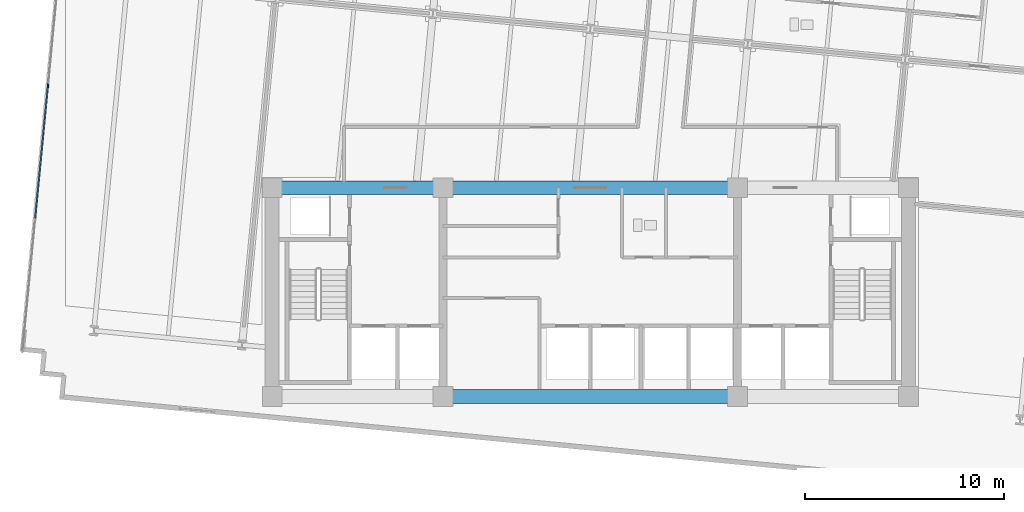
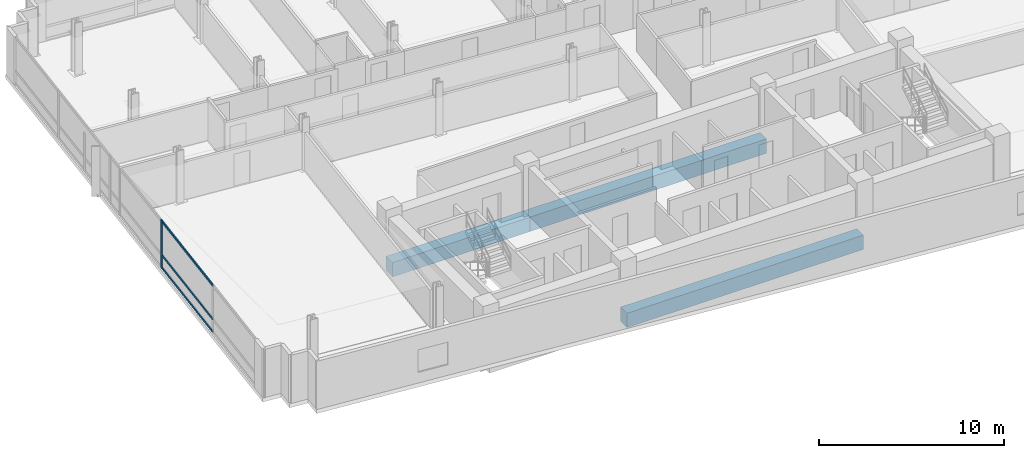
# One storey, part 3 of 17: 4 members, 3 beams, 1 element without a shape of its own.
"""IFC4 building model written with IfcOpenShell, lengths in metres."""

import ifcopenshell
import ifcopenshell.guid

model = None  # the IFC model being written
_history = None  # IfcOwnerHistory: only IFC2X3 demands one
_inside = {}  # id of a spatial element -> (the spatial element, [elements in it])
_under = {}  # id of a project, library or spatial element -> (it, [spatial elements below it])
_declared = {}  # id of a project -> (the project, [libraries it declares])
_typed = {}  # id of a type object -> (the type object, [elements of that type])
_made_of = {}  # id of a material, layer set ... -> (it, [elements and type objects made of it])


def new_model(schema):
    """Start an empty IFC model of exactly this schema.

    Asked for "IFC4X3", IfcOpenShell would pick the latest addendum, in which some entities
    have other attributes; the version numbers below select the first issue.
    IFC2X3 requires an IfcOwnerHistory on every rooted entity: one is made here for all.
    """
    global model, _history
    if schema == "IFC4X3":
        model = ifcopenshell.file(schema_version=(4, 3, 0, 0))
    else:
        model = ifcopenshell.file(schema=schema)
    _inside.clear()
    _under.clear()
    _declared.clear()
    _typed.clear()
    _made_of.clear()
    _history = None
    if model.schema == "IFC2X3":
        org = make("IfcOrganization", Name="unknown")
        user = make(
            "IfcPersonAndOrganization",
            ThePerson=make("IfcPerson", FamilyName="unknown"),
            TheOrganization=org,
        )
        app = make(
            "IfcApplication",
            ApplicationDeveloper=org,
            Version="unknown",
            ApplicationFullName="unknown",
            ApplicationIdentifier="unknown",
        )
        _history = make(
            "IfcOwnerHistory",
            OwningUser=user,
            OwningApplication=app,
            ChangeAction="ADDED",
            CreationDate=0,
        )
    return model


def make(cls, **values):
    """One entity of the class cls with the attributes given. An attribute that is None is left unset."""
    return model.create_entity(
        cls, **{name: value for name, value in values.items() if value is not None}
    )


def rooted(cls, **values):
    """An entity with a GlobalId (a new one), such as an element, a storey or a relation."""
    return make(cls, GlobalId=ifcopenshell.guid.new(), OwnerHistory=_history, **values)


def si_unit(unit_type, name, prefix=None):
    """IfcSIUnit, for example si_unit("LENGTHUNIT", "METRE", prefix="MILLI")."""
    return make("IfcSIUnit", UnitType=unit_type, Prefix=prefix, Name=name)


def assignment(units):
    """IfcUnitAssignment: the units of a project."""
    return None if units is None else make("IfcUnitAssignment", Units=units)


def point(xyz):
    """IfcCartesianPoint."""
    return None if xyz is None else make("IfcCartesianPoint", Coordinates=xyz)


def direction(xyz):
    """IfcDirection."""
    return None if xyz is None else make("IfcDirection", DirectionRatios=xyz)


def frame(location, z_axis=None, x_axis=None):
    """IfcAxis2Placement3D, a coordinate frame: its origin and axes. An axis left out is left unset."""
    return make(
        "IfcAxis2Placement3D",
        Location=point(location),
        Axis=direction(z_axis),
        RefDirection=direction(x_axis),
    )


def frame_2d(location, x_axis=None):
    """IfcAxis2Placement2D, a coordinate frame in the plane: its origin and x axis."""
    return make(
        "IfcAxis2Placement2D", Location=point(location), RefDirection=direction(x_axis)
    )


def origin():
    """The frame at (0, 0, 0) with its axes left unset."""
    return frame((0.0, 0.0, 0.0))


def origin_2d():
    """The frame at (0, 0) in the plane with its x axis left unset."""
    return frame_2d((0.0, 0.0))


def place(relative_to, where):
    """IfcLocalPlacement: puts the frame where relative to a parent placement (None: the world)."""
    return make(
        "IfcLocalPlacement", PlacementRelTo=relative_to, RelativePlacement=where
    )


def context(
    kind, dimensions, precision=None, world=None, true_north=None, identifier=None
):
    """IfcGeometricRepresentationContext, for example the 3D "Model" context."""
    return make(
        "IfcGeometricRepresentationContext",
        ContextIdentifier=identifier,
        ContextType=kind,
        CoordinateSpaceDimension=dimensions,
        Precision=precision,
        WorldCoordinateSystem=world,
        TrueNorth=true_north,
    )


def subcontext(parent, identifier, kind, view, scale=None):
    """IfcGeometricRepresentationSubContext, for example "Body" below "Model"."""
    return make(
        "IfcGeometricRepresentationSubContext",
        ContextIdentifier=identifier,
        ContextType=kind,
        ParentContext=parent,
        TargetScale=scale,
        TargetView=view,
    )


def project(units=None, contexts=None):
    """IfcProject with its units and contexts."""
    return rooted(
        "IfcProject",
        Name="project",
        RepresentationContexts=contexts,
        UnitsInContext=assignment(units),
    )


def spatial(cls, under=None, at=None, **own):
    """A site, building, storey or space (cls), placed at a placement, below another one or the project."""
    s = rooted(cls, ObjectPlacement=at, **own)
    if under is not None:
        _under.setdefault(under.id(), (under, []))[1].append(s)
    return s


def profile(cls, at=None, kind="AREA", **sizes):
    """A parametric profile (cls). Its sizes go by their IFC names, for example OverallWidth=200.0."""
    return make(cls, ProfileType=kind, Position=at, **sizes)


def rectangle(**sizes):
    """IfcRectangleProfileDef."""
    return profile("IfcRectangleProfileDef", **sizes)


def extrude(swept, where, along, depth):
    """IfcExtrudedAreaSolid: the profile swept, set in the frame where, extruded along a direction by depth."""
    return make(
        "IfcExtrudedAreaSolid",
        SweptArea=swept,
        Position=where,
        ExtrudedDirection=direction(along),
        Depth=depth,
    )


def shape(context_of_items, identifier, shape_type, items):
    """IfcShapeRepresentation: the items that make up one representation, for example the "Body"."""
    return make(
        "IfcShapeRepresentation",
        ContextOfItems=context_of_items,
        RepresentationIdentifier=identifier,
        RepresentationType=shape_type,
        Items=items,
    )


def material(Name=None, Category=None):
    """IfcMaterial."""
    return make("IfcMaterial", Name=Name, Category=Category)


def material_profile(
    of_material, cross_section, Name=None, Category=None, Priority=None
):
    """IfcMaterialProfile: a cross section and its material."""
    return make(
        "IfcMaterialProfile",
        Name=Name,
        Material=of_material,
        Profile=cross_section,
        Priority=Priority,
        Category=Category,
    )


def profile_set(profiles, Name=None, composite=None):
    """IfcMaterialProfileSet."""
    return make(
        "IfcMaterialProfileSet",
        Name=Name,
        MaterialProfiles=profiles,
        CompositeProfile=composite,
    )


def made_of(thing, what):
    """Note that an element or type object is made of a material, layer set ...; save() writes the relation."""
    if what is not None:
        _made_of.setdefault(what.id(), (what, []))[1].append(thing)
    return thing


def type_object(cls, material=None, **own):
    """A type object (cls), such as IfcWallType, which elements share."""
    return made_of(rooted(cls, **own), material)


def element(
    cls,
    number,
    at=None,
    inside=None,
    cuts=None,
    type_object=None,
    material=None,
    context=None,
    identifier="Body",
    shape_type=None,
    held_by="IfcProductDefinitionShape",
    body=None,
    shapes=None,
    **own,
):
    """One element of the class cls, such as IfcWall. Its Tag is "e" and its number.

    at: its placement. inside: the storey or other place that contains it. cuts: it is an
    opening in that element (IfcRelVoidsElement). A single representation is given by context,
    identifier, shape_type and body (its items); several are given by shapes. held_by: the class
    of the entity that holds the representations. save() writes the other relations.
    """
    e = rooted(cls, Tag="e%d" % number, ObjectPlacement=at, **own)
    if body is not None:
        shapes = [shape(context, identifier, shape_type, body)]
    if shapes is not None:
        e.Representation = make(held_by, Representations=shapes)
    if inside is not None:
        _inside.setdefault(inside.id(), (inside, []))[1].append(e)
    if cuts is not None:
        rooted(
            "IfcRelVoidsElement", RelatingBuildingElement=cuts, RelatedOpeningElement=e
        )
    if type_object is not None:
        _typed.setdefault(type_object.id(), (type_object, []))[1].append(e)
    return made_of(e, material)


def aggregate(whole, parts):
    """IfcRelAggregates: a whole, such as a stair, and the parts it consists of."""
    return rooted("IfcRelAggregates", RelatingObject=whole, RelatedObjects=parts)


def save(model, path):
    """Write the relations noted so far, then the file.

    IfcRelAggregates (storeys below a building ...), IfcRelContainedInSpatialStructure (elements
    in a storey), IfcRelDefinesByType, IfcRelAssociatesMaterial and IfcRelDeclares: one each for
    every whole, place, type object, material and project.
    """
    for whole, parts in _under.values():
        aggregate(whole, parts)
    for where, things in _inside.values():
        rooted(
            "IfcRelContainedInSpatialStructure",
            RelatedElements=things,
            RelatingStructure=where,
        )
    for kind, things in _typed.values():
        rooted("IfcRelDefinesByType", RelatedObjects=things, RelatingType=kind)
    for what, things in _made_of.values():
        rooted("IfcRelAssociatesMaterial", RelatedObjects=things, RelatingMaterial=what)
    for by, libraries in _declared.values():
        rooted("IfcRelDeclares", RelatingContext=by, RelatedDefinitions=libraries)
    model.write(path)


model = new_model("IFC4")

# Units and contexts
model_context = context("Model", 3, precision=1e-05, world=origin(), true_north=direction((0.0, 1.0)))
body_context = subcontext(model_context, "Body", "Model", "MODEL_VIEW")
ifc_project = project(units=[si_unit("LENGTHUNIT", "METRE"), si_unit("AREAUNIT", "SQUARE_METRE"), si_unit("VOLUMEUNIT", "CUBIC_METRE"), si_unit("PLANEANGLEUNIT", "RADIAN"), si_unit("MASSUNIT", "GRAM", prefix="KILO")], contexts=[model_context])

# Site, building, storey
site_placement = place(None, origin())
site = spatial("IfcSite", under=ifc_project, at=site_placement, CompositionType="ELEMENT")
building_placement = place(site_placement, origin())
building = spatial("IfcBuilding", under=site, at=building_placement, Name="Solmavex Isthmus Hotel", CompositionType="ELEMENT")
storey_placement = place(building_placement, frame((0.0, 0.0, 173.85009765625)))
storey = spatial("IfcBuildingStorey", under=building, at=storey_placement, Name="L47", CompositionType="ELEMENT", Elevation=173.85009765625)

# Beams
ifc_material_1 = material(Name="Concrete C60/75", Category="concrete")
ifc_material_profile_1 = material_profile(ifc_material_1, rectangle(XDim=0.699951171875, YDim=0.949951171875, at=origin_2d()), Name="RC700X950")
ifc_profile_set_1 = profile_set([ifc_material_profile_1], Name="Concrete C60/75")
beam_type = type_object("IfcBeamType", Name="BM-CB-700X950", PredefinedType="BEAM", material=ifc_profile_set_1)
beam_1_placement = place(storey_placement, frame((-7.39990234375, -13.0, -0.735107421875), z_axis=(1.0, 0.0, 0.0), x_axis=(0.0, 1.0, 0.0)))
element("IfcBeam", 1, at=beam_1_placement, inside=storey, type_object=beam_type, Name="Core Coupling Beam L47-CB2", PredefinedType="BEAM", context=body_context, shape_type="SweptSolid", body=[
    extrude(rectangle(XDim=0.699951171875, YDim=0.949951171875, at=origin_2d()), origin(), (0.0, 0.0, 1.0), 14.7998046875),
])
beam_2_placement = place(storey_placement, frame((-16.0, -2.5, -0.735107421875), z_axis=(1.0, 0.0, 0.0), x_axis=(0.0, 1.0, 0.0)))
element("IfcBeam", 2, at=beam_2_placement, inside=storey, type_object=beam_type, Name="Core Coupling Beam L47-CB4", PredefinedType="BEAM", context=body_context, shape_type="SweptSolid", body=[
    extrude(rectangle(XDim=0.699951171875, YDim=0.949951171875, at=origin_2d()), origin(), (0.0, 0.0, 1.0), 8.60009765625),
])
beam_3_placement = place(storey_placement, frame((-7.39990234375, -2.5, -0.735107421875), z_axis=(1.0, 0.0, 0.0), x_axis=(0.0, 1.0, 0.0)))
element("IfcBeam", 3, at=beam_3_placement, inside=storey, type_object=beam_type, Name="Core Coupling Beam L47-CB5", PredefinedType="BEAM", context=body_context, shape_type="SweptSolid", body=[
    extrude(rectangle(XDim=0.699951171875, YDim=0.949951171875, at=origin_2d()), origin(), (0.0, 0.0, 1.0), 14.7998046875),
])

# Curtain wall, members
ifc_material_2 = material(Name="Aluminium alloy 6063-T6", Category="aluminium")
curtain_wall_type = type_object("IfcCurtainWallType", Name="CW-SYS-03", PredefinedType="NOTDEFINED", material=ifc_material_2)
curtain_wall_placement = place(storey_placement, origin())
curtain_wall = element("IfcCurtainWall", 4, at=curtain_wall_placement, inside=storey, type_object=curtain_wall_type, Name="Stick Curtain Wall CWL-L47-W1", PredefinedType="NOTDEFINED")
ifc_material_profile_2 = material_profile(ifc_material_2, rectangle(XDim=0.070068359375, YDim=0.179931640625, at=origin_2d()), Name="CWM-70X180")
ifc_profile_set_2 = profile_set([ifc_material_profile_2], Name="Aluminium alloy 6063-T6")
member_type_1 = type_object("IfcMemberType", Name="CW-SYS-03-MUL", PredefinedType="MULLION", material=ifc_profile_set_2)
member_1_placement = place(storey_placement, frame((-27.2783203125, 2.6318359375, 0.0), z_axis=(0.0, 0.0, 1.0), x_axis=(-0.995396190038, 0.09584583902, 0.0)))
member_1 = element("IfcMember", 5, at=member_1_placement, type_object=member_type_1, Name="CW-03 mullion 3", PredefinedType="MULLION", context=body_context, shape_type="SweptSolid", body=[
    extrude(rectangle(XDim=0.070068359375, YDim=0.179931640625, at=origin_2d()), origin(), (0.0, 0.0, 1.0), 3.18994140625),
])
ifc_material_profile_3 = material_profile(ifc_material_2, rectangle(XDim=0.070068359375, YDim=0.139892578125, at=origin_2d()), Name="CWT-70X140")
ifc_profile_set_3 = profile_set([ifc_material_profile_3], Name="Aluminium alloy 6063-T6")
member_type_2 = type_object("IfcMemberType", Name="CW-SYS-03-TRN", PredefinedType="USERDEFINED", material=ifc_profile_set_3)
member_2_placement = place(storey_placement, frame((-27.9189453125, -4.0224609375, 0.06982421875), z_axis=(0.095820836451, 0.995398597197, 0.0), x_axis=(-0.995398597197, 0.095820836451, 0.0)))
member_2 = element("IfcMember", 6, at=member_2_placement, type_object=member_type_2, Name="CW-03 transom 2.1", ObjectType="TRANSOM", PredefinedType="USERDEFINED", context=body_context, shape_type="SweptSolid", body=[
    extrude(rectangle(XDim=0.070068359375, YDim=0.139892578125, at=origin_2d()), origin(), (0.0, 0.0, 1.0), 6.64990234375),
])
member_3_placement = place(storey_placement, frame((-27.9189453125, -4.0224609375, 0.89990234375), z_axis=(0.095820836451, 0.995398597197, 0.0), x_axis=(-0.995398597197, 0.095820836451, 0.0)))
member_3 = element("IfcMember", 7, at=member_3_placement, type_object=member_type_2, Name="CW-03 transom 2.2", ObjectType="TRANSOM", PredefinedType="USERDEFINED", context=body_context, shape_type="SweptSolid", body=[
    extrude(rectangle(XDim=0.070068359375, YDim=0.139892578125, at=origin_2d()), origin(), (0.0, 0.0, 1.0), 6.64990234375),
])
member_4_placement = place(storey_placement, frame((-27.9189453125, -4.0224609375, 3.119873046875), z_axis=(0.095820836451, 0.995398597197, 0.0), x_axis=(-0.995398597197, 0.095820836451, 0.0)))
member_4 = element("IfcMember", 8, at=member_4_placement, type_object=member_type_2, Name="CW-03 transom 2.3", ObjectType="TRANSOM", PredefinedType="USERDEFINED", context=body_context, shape_type="SweptSolid", body=[
    extrude(rectangle(XDim=0.070068359375, YDim=0.139892578125, at=origin_2d()), origin(), (0.0, 0.0, 1.0), 6.64990234375),
])
aggregate(curtain_wall, [member_1, member_2, member_3, member_4])

save(model, "model.ifc")
